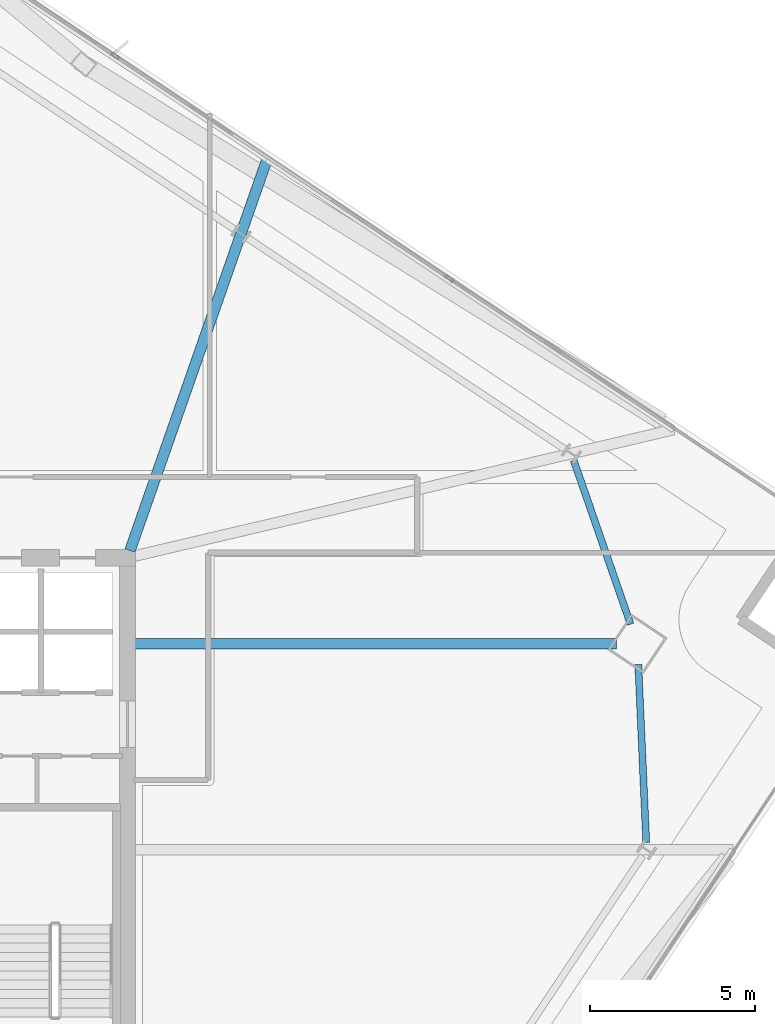
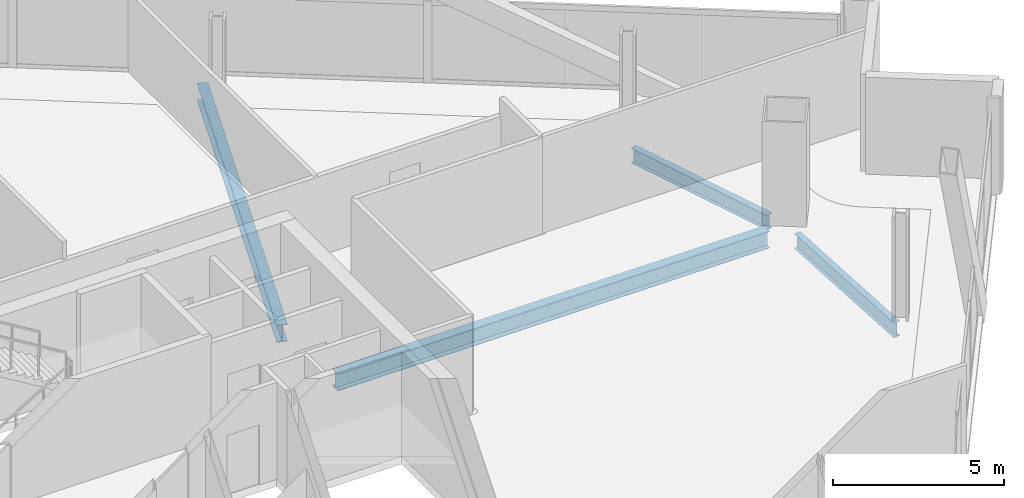
# One storey, part 17 of 32: 4 beams.
"""IFC4 building model written with IfcOpenShell, lengths in metres."""

import ifcopenshell
import ifcopenshell.guid

model = None  # the IFC model being written
_history = None  # IfcOwnerHistory: only IFC2X3 demands one
_inside = {}  # id of a spatial element -> (the spatial element, [elements in it])
_under = {}  # id of a project, library or spatial element -> (it, [spatial elements below it])
_declared = {}  # id of a project -> (the project, [libraries it declares])
_typed = {}  # id of a type object -> (the type object, [elements of that type])
_made_of = {}  # id of a material, layer set ... -> (it, [elements and type objects made of it])


def new_model(schema):
    """Start an empty IFC model of exactly this schema.

    Asked for "IFC4X3", IfcOpenShell would pick the latest addendum, in which some entities
    have other attributes; the version numbers below select the first issue.
    IFC2X3 requires an IfcOwnerHistory on every rooted entity: one is made here for all.
    """
    global model, _history
    if schema == "IFC4X3":
        model = ifcopenshell.file(schema_version=(4, 3, 0, 0))
    else:
        model = ifcopenshell.file(schema=schema)
    _inside.clear()
    _under.clear()
    _declared.clear()
    _typed.clear()
    _made_of.clear()
    _history = None
    if model.schema == "IFC2X3":
        org = make("IfcOrganization", Name="unknown")
        user = make(
            "IfcPersonAndOrganization",
            ThePerson=make("IfcPerson", FamilyName="unknown"),
            TheOrganization=org,
        )
        app = make(
            "IfcApplication",
            ApplicationDeveloper=org,
            Version="unknown",
            ApplicationFullName="unknown",
            ApplicationIdentifier="unknown",
        )
        _history = make(
            "IfcOwnerHistory",
            OwningUser=user,
            OwningApplication=app,
            ChangeAction="ADDED",
            CreationDate=0,
        )
    return model


def make(cls, **values):
    """One entity of the class cls with the attributes given. An attribute that is None is left unset."""
    return model.create_entity(
        cls, **{name: value for name, value in values.items() if value is not None}
    )


def rooted(cls, **values):
    """An entity with a GlobalId (a new one), such as an element, a storey or a relation."""
    return make(cls, GlobalId=ifcopenshell.guid.new(), OwnerHistory=_history, **values)


def si_unit(unit_type, name, prefix=None):
    """IfcSIUnit, for example si_unit("LENGTHUNIT", "METRE", prefix="MILLI")."""
    return make("IfcSIUnit", UnitType=unit_type, Prefix=prefix, Name=name)


def assignment(units):
    """IfcUnitAssignment: the units of a project."""
    return None if units is None else make("IfcUnitAssignment", Units=units)


def point(xyz):
    """IfcCartesianPoint."""
    return None if xyz is None else make("IfcCartesianPoint", Coordinates=xyz)


def direction(xyz):
    """IfcDirection."""
    return None if xyz is None else make("IfcDirection", DirectionRatios=xyz)


def frame(location, z_axis=None, x_axis=None):
    """IfcAxis2Placement3D, a coordinate frame: its origin and axes. An axis left out is left unset."""
    return make(
        "IfcAxis2Placement3D",
        Location=point(location),
        Axis=direction(z_axis),
        RefDirection=direction(x_axis),
    )


def frame_2d(location, x_axis=None):
    """IfcAxis2Placement2D, a coordinate frame in the plane: its origin and x axis."""
    return make(
        "IfcAxis2Placement2D", Location=point(location), RefDirection=direction(x_axis)
    )


def origin():
    """The frame at (0, 0, 0) with its axes left unset."""
    return frame((0.0, 0.0, 0.0))


def origin_2d():
    """The frame at (0, 0) in the plane with its x axis left unset."""
    return frame_2d((0.0, 0.0))


def place(relative_to, where):
    """IfcLocalPlacement: puts the frame where relative to a parent placement (None: the world)."""
    return make(
        "IfcLocalPlacement", PlacementRelTo=relative_to, RelativePlacement=where
    )


def context(
    kind, dimensions, precision=None, world=None, true_north=None, identifier=None
):
    """IfcGeometricRepresentationContext, for example the 3D "Model" context."""
    return make(
        "IfcGeometricRepresentationContext",
        ContextIdentifier=identifier,
        ContextType=kind,
        CoordinateSpaceDimension=dimensions,
        Precision=precision,
        WorldCoordinateSystem=world,
        TrueNorth=true_north,
    )


def subcontext(parent, identifier, kind, view, scale=None):
    """IfcGeometricRepresentationSubContext, for example "Body" below "Model"."""
    return make(
        "IfcGeometricRepresentationSubContext",
        ContextIdentifier=identifier,
        ContextType=kind,
        ParentContext=parent,
        TargetScale=scale,
        TargetView=view,
    )


def project(units=None, contexts=None):
    """IfcProject with its units and contexts."""
    return rooted(
        "IfcProject",
        Name="project",
        RepresentationContexts=contexts,
        UnitsInContext=assignment(units),
    )


def spatial(cls, under=None, at=None, **own):
    """A site, building, storey or space (cls), placed at a placement, below another one or the project."""
    s = rooted(cls, ObjectPlacement=at, **own)
    if under is not None:
        _under.setdefault(under.id(), (under, []))[1].append(s)
    return s


def profile(cls, at=None, kind="AREA", **sizes):
    """A parametric profile (cls). Its sizes go by their IFC names, for example OverallWidth=200.0."""
    return make(cls, ProfileType=kind, Position=at, **sizes)


def i_section(**sizes):
    """IfcIShapeProfileDef."""
    return profile("IfcIShapeProfileDef", **sizes)


def extrude(swept, where, along, depth):
    """IfcExtrudedAreaSolid: the profile swept, set in the frame where, extruded along a direction by depth."""
    return make(
        "IfcExtrudedAreaSolid",
        SweptArea=swept,
        Position=where,
        ExtrudedDirection=direction(along),
        Depth=depth,
    )


def shape(context_of_items, identifier, shape_type, items):
    """IfcShapeRepresentation: the items that make up one representation, for example the "Body"."""
    return make(
        "IfcShapeRepresentation",
        ContextOfItems=context_of_items,
        RepresentationIdentifier=identifier,
        RepresentationType=shape_type,
        Items=items,
    )


def material(Name=None, Category=None):
    """IfcMaterial."""
    return make("IfcMaterial", Name=Name, Category=Category)


def material_profile(
    of_material, cross_section, Name=None, Category=None, Priority=None
):
    """IfcMaterialProfile: a cross section and its material."""
    return make(
        "IfcMaterialProfile",
        Name=Name,
        Material=of_material,
        Profile=cross_section,
        Priority=Priority,
        Category=Category,
    )


def profile_set(profiles, Name=None, composite=None):
    """IfcMaterialProfileSet."""
    return make(
        "IfcMaterialProfileSet",
        Name=Name,
        MaterialProfiles=profiles,
        CompositeProfile=composite,
    )


def made_of(thing, what):
    """Note that an element or type object is made of a material, layer set ...; save() writes the relation."""
    if what is not None:
        _made_of.setdefault(what.id(), (what, []))[1].append(thing)
    return thing


def type_object(cls, material=None, **own):
    """A type object (cls), such as IfcWallType, which elements share."""
    return made_of(rooted(cls, **own), material)


def element(
    cls,
    number,
    at=None,
    inside=None,
    cuts=None,
    type_object=None,
    material=None,
    context=None,
    identifier="Body",
    shape_type=None,
    held_by="IfcProductDefinitionShape",
    body=None,
    shapes=None,
    **own,
):
    """One element of the class cls, such as IfcWall. Its Tag is "e" and its number.

    at: its placement. inside: the storey or other place that contains it. cuts: it is an
    opening in that element (IfcRelVoidsElement). A single representation is given by context,
    identifier, shape_type and body (its items); several are given by shapes. held_by: the class
    of the entity that holds the representations. save() writes the other relations.
    """
    e = rooted(cls, Tag="e%d" % number, ObjectPlacement=at, **own)
    if body is not None:
        shapes = [shape(context, identifier, shape_type, body)]
    if shapes is not None:
        e.Representation = make(held_by, Representations=shapes)
    if inside is not None:
        _inside.setdefault(inside.id(), (inside, []))[1].append(e)
    if cuts is not None:
        rooted(
            "IfcRelVoidsElement", RelatingBuildingElement=cuts, RelatedOpeningElement=e
        )
    if type_object is not None:
        _typed.setdefault(type_object.id(), (type_object, []))[1].append(e)
    return made_of(e, material)


def aggregate(whole, parts):
    """IfcRelAggregates: a whole, such as a stair, and the parts it consists of."""
    return rooted("IfcRelAggregates", RelatingObject=whole, RelatedObjects=parts)


def save(model, path):
    """Write the relations noted so far, then the file.

    IfcRelAggregates (storeys below a building ...), IfcRelContainedInSpatialStructure (elements
    in a storey), IfcRelDefinesByType, IfcRelAssociatesMaterial and IfcRelDeclares: one each for
    every whole, place, type object, material and project.
    """
    for whole, parts in _under.values():
        aggregate(whole, parts)
    for where, things in _inside.values():
        rooted(
            "IfcRelContainedInSpatialStructure",
            RelatedElements=things,
            RelatingStructure=where,
        )
    for kind, things in _typed.values():
        rooted("IfcRelDefinesByType", RelatedObjects=things, RelatingType=kind)
    for what, things in _made_of.values():
        rooted("IfcRelAssociatesMaterial", RelatedObjects=things, RelatingMaterial=what)
    for by, libraries in _declared.values():
        rooted("IfcRelDeclares", RelatingContext=by, RelatedDefinitions=libraries)
    model.write(path)


model = new_model("IFC4")

# Units and contexts
model_context = context("Model", 3, precision=1e-05, world=origin(), true_north=direction((0.0, 1.0)))
body_context = subcontext(model_context, "Body", "Model", "MODEL_VIEW")
ifc_project = project(units=[si_unit("LENGTHUNIT", "METRE"), si_unit("AREAUNIT", "SQUARE_METRE"), si_unit("VOLUMEUNIT", "CUBIC_METRE"), si_unit("PLANEANGLEUNIT", "RADIAN"), si_unit("MASSUNIT", "GRAM", prefix="KILO")], contexts=[model_context])

# Site, building, storey
site_placement = place(None, origin())
site = spatial("IfcSite", under=ifc_project, at=site_placement, CompositionType="ELEMENT")
building_placement = place(site_placement, origin())
building = spatial("IfcBuilding", under=site, at=building_placement, Name="Haldenkirk Collegiate Tower", CompositionType="ELEMENT")
storey_placement = place(building_placement, frame((0.0, 0.0, 217.199951171875)))
storey = spatial("IfcBuildingStorey", under=building, at=storey_placement, Name="L54", CompositionType="ELEMENT", Elevation=217.199951171875)

# Beams
ifc_material = material(Name="Steel ASTM A992 Grade 50", Category="steel")
ifc_material_profile_1 = material_profile(ifc_material, i_section(OverallWidth=0.324951171875, OverallDepth=0.615966796875, WebThickness=0.013916015625, FlangeThickness=0.021484375, at=origin_2d()), Name="W24X117")
ifc_profile_set_1 = profile_set([ifc_material_profile_1], Name="Steel ASTM A992 Grade 50")
beam_type_1 = type_object("IfcBeamType", Name="BM-GIRDER-W24X117", PredefinedType="BEAM", material=ifc_profile_set_1)
beam_1_placement = place(storey_placement, frame((59.856201171875, 31.3837890625, -0.587890625), z_axis=(-1.0, 0.0, 0.0), x_axis=(0.0, -1.0, 0.0)))
element("IfcBeam", 1, at=beam_1_placement, inside=storey, type_object=beam_type_1, Name="L54 primary floor girder 02", PredefinedType="BEAM", context=body_context, shape_type="SweptSolid", body=[
    extrude(i_section(OverallWidth=0.324951171875, OverallDepth=0.615966796875, WebThickness=0.013916015625, FlangeThickness=0.021484375, at=origin_2d()), origin(), (0.0, 0.0, 1.0), 14.626220703125),
])
beam_2_placement = place(storey_placement, frame((49.242431640625, 46.112060546875, -0.587890625), z_axis=(-0.330579929411, -0.943777998404, 0.0), x_axis=(0.943777998404, -0.330579929411, 0.0)))
element("IfcBeam", 2, at=beam_2_placement, inside=storey, type_object=beam_type_1, Name="L54 primary floor girder 09", PredefinedType="BEAM", context=body_context, shape_type="SweptSolid", body=[
    extrude(i_section(OverallWidth=0.324951171875, OverallDepth=0.615966796875, WebThickness=0.013916015625, FlangeThickness=0.021484375, at=origin_2d()), origin(), (0.0, 0.0, 1.0), 12.603515625),
])
ifc_material_profile_2 = material_profile(ifc_material, i_section(OverallWidth=0.2099609375, OverallDepth=0.537109375, WebThickness=0.010986328125, FlangeThickness=0.017333984375, at=origin_2d()), Name="W21X68")
ifc_profile_set_2 = profile_set([ifc_material_profile_2], Name="Steel ASTM A992 Grade 50")
beam_type_2 = type_object("IfcBeamType", Name="BM-SPANDREL-W21X68", PredefinedType="SPANDREL", material=ifc_profile_set_2)
beam_3_placement = place(storey_placement, frame((60.756103515625, 25.34326171875, -0.54833984375), z_axis=(-0.044622535616, 0.999003918569, 0.0), x_axis=(-0.999003918569, -0.044622535616, 0.0)))
element("IfcBeam", 3, at=beam_3_placement, inside=storey, type_object=beam_type_2, Name="L54 perimeter spandrel beam 04", PredefinedType="SPANDREL", context=body_context, shape_type="SweptSolid", body=[
    extrude(i_section(OverallWidth=0.2099609375, OverallDepth=0.537109375, WebThickness=0.010986328125, FlangeThickness=0.017333984375, at=origin_2d()), origin(), (0.0, 0.0, 1.0), 5.41650390625),
])
beam_4_placement = place(storey_placement, frame((60.27978515625, 31.97900390625, -0.54833984375), z_axis=(-0.327807295579, 0.944744609387, 0.0), x_axis=(-0.944744609387, -0.327807295579, 0.0)))
element("IfcBeam", 4, at=beam_4_placement, inside=storey, type_object=beam_type_2, Name="L54 perimeter spandrel beam 05", PredefinedType="SPANDREL", context=body_context, shape_type="SweptSolid", body=[
    extrude(i_section(OverallWidth=0.2099609375, OverallDepth=0.537109375, WebThickness=0.010986328125, FlangeThickness=0.017333984375, at=origin_2d()), origin(), (0.0, 0.0, 1.0), 5.270751953125),
])

save(model, "model.ifc")
